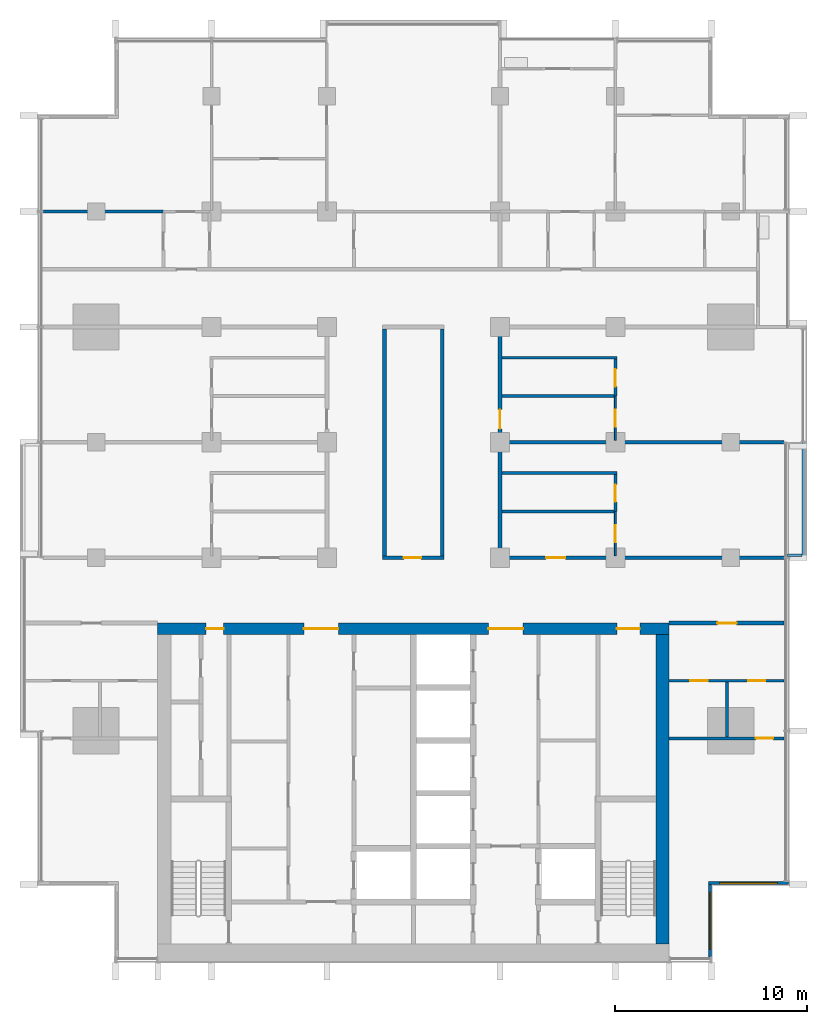
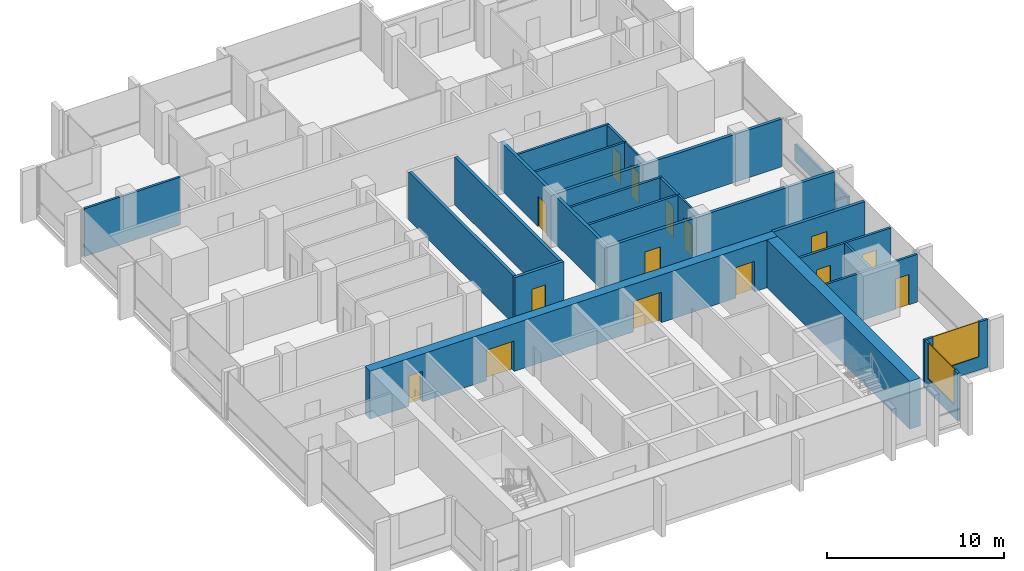
# One storey, part 9 of 16: 25 walls, 15 doors, 2 windows, 17 openings.
"""IFC4 building model written with IfcOpenShell, lengths in metres."""

import ifcopenshell
import ifcopenshell.guid

model = None  # the IFC model being written
_history = None  # IfcOwnerHistory: only IFC2X3 demands one
_inside = {}  # id of a spatial element -> (the spatial element, [elements in it])
_under = {}  # id of a project, library or spatial element -> (it, [spatial elements below it])
_declared = {}  # id of a project -> (the project, [libraries it declares])
_typed = {}  # id of a type object -> (the type object, [elements of that type])
_made_of = {}  # id of a material, layer set ... -> (it, [elements and type objects made of it])


def new_model(schema):
    """Start an empty IFC model of exactly this schema.

    Asked for "IFC4X3", IfcOpenShell would pick the latest addendum, in which some entities
    have other attributes; the version numbers below select the first issue.
    IFC2X3 requires an IfcOwnerHistory on every rooted entity: one is made here for all.
    """
    global model, _history
    if schema == "IFC4X3":
        model = ifcopenshell.file(schema_version=(4, 3, 0, 0))
    else:
        model = ifcopenshell.file(schema=schema)
    _inside.clear()
    _under.clear()
    _declared.clear()
    _typed.clear()
    _made_of.clear()
    _history = None
    if model.schema == "IFC2X3":
        org = make("IfcOrganization", Name="unknown")
        user = make(
            "IfcPersonAndOrganization",
            ThePerson=make("IfcPerson", FamilyName="unknown"),
            TheOrganization=org,
        )
        app = make(
            "IfcApplication",
            ApplicationDeveloper=org,
            Version="unknown",
            ApplicationFullName="unknown",
            ApplicationIdentifier="unknown",
        )
        _history = make(
            "IfcOwnerHistory",
            OwningUser=user,
            OwningApplication=app,
            ChangeAction="ADDED",
            CreationDate=0,
        )
    return model


def make(cls, **values):
    """One entity of the class cls with the attributes given. An attribute that is None is left unset."""
    return model.create_entity(
        cls, **{name: value for name, value in values.items() if value is not None}
    )


def rooted(cls, **values):
    """An entity with a GlobalId (a new one), such as an element, a storey or a relation."""
    return make(cls, GlobalId=ifcopenshell.guid.new(), OwnerHistory=_history, **values)


def si_unit(unit_type, name, prefix=None):
    """IfcSIUnit, for example si_unit("LENGTHUNIT", "METRE", prefix="MILLI")."""
    return make("IfcSIUnit", UnitType=unit_type, Prefix=prefix, Name=name)


def assignment(units):
    """IfcUnitAssignment: the units of a project."""
    return None if units is None else make("IfcUnitAssignment", Units=units)


def point(xyz):
    """IfcCartesianPoint."""
    return None if xyz is None else make("IfcCartesianPoint", Coordinates=xyz)


def direction(xyz):
    """IfcDirection."""
    return None if xyz is None else make("IfcDirection", DirectionRatios=xyz)


def frame(location, z_axis=None, x_axis=None):
    """IfcAxis2Placement3D, a coordinate frame: its origin and axes. An axis left out is left unset."""
    return make(
        "IfcAxis2Placement3D",
        Location=point(location),
        Axis=direction(z_axis),
        RefDirection=direction(x_axis),
    )


def frame_2d(location, x_axis=None):
    """IfcAxis2Placement2D, a coordinate frame in the plane: its origin and x axis."""
    return make(
        "IfcAxis2Placement2D", Location=point(location), RefDirection=direction(x_axis)
    )


def origin():
    """The frame at (0, 0, 0) with its axes left unset."""
    return frame((0.0, 0.0, 0.0))


def place(relative_to, where):
    """IfcLocalPlacement: puts the frame where relative to a parent placement (None: the world)."""
    return make(
        "IfcLocalPlacement", PlacementRelTo=relative_to, RelativePlacement=where
    )


def context(
    kind, dimensions, precision=None, world=None, true_north=None, identifier=None
):
    """IfcGeometricRepresentationContext, for example the 3D "Model" context."""
    return make(
        "IfcGeometricRepresentationContext",
        ContextIdentifier=identifier,
        ContextType=kind,
        CoordinateSpaceDimension=dimensions,
        Precision=precision,
        WorldCoordinateSystem=world,
        TrueNorth=true_north,
    )


def subcontext(parent, identifier, kind, view, scale=None):
    """IfcGeometricRepresentationSubContext, for example "Body" below "Model"."""
    return make(
        "IfcGeometricRepresentationSubContext",
        ContextIdentifier=identifier,
        ContextType=kind,
        ParentContext=parent,
        TargetScale=scale,
        TargetView=view,
    )


def project(units=None, contexts=None):
    """IfcProject with its units and contexts."""
    return rooted(
        "IfcProject",
        Name="project",
        RepresentationContexts=contexts,
        UnitsInContext=assignment(units),
    )


def spatial(cls, under=None, at=None, **own):
    """A site, building, storey or space (cls), placed at a placement, below another one or the project."""
    s = rooted(cls, ObjectPlacement=at, **own)
    if under is not None:
        _under.setdefault(under.id(), (under, []))[1].append(s)
    return s


def profile(cls, at=None, kind="AREA", **sizes):
    """A parametric profile (cls). Its sizes go by their IFC names, for example OverallWidth=200.0."""
    return make(cls, ProfileType=kind, Position=at, **sizes)


def rectangle(**sizes):
    """IfcRectangleProfileDef."""
    return profile("IfcRectangleProfileDef", **sizes)


def extrude(swept, where, along, depth):
    """IfcExtrudedAreaSolid: the profile swept, set in the frame where, extruded along a direction by depth."""
    return make(
        "IfcExtrudedAreaSolid",
        SweptArea=swept,
        Position=where,
        ExtrudedDirection=direction(along),
        Depth=depth,
    )


def shape(context_of_items, identifier, shape_type, items):
    """IfcShapeRepresentation: the items that make up one representation, for example the "Body"."""
    return make(
        "IfcShapeRepresentation",
        ContextOfItems=context_of_items,
        RepresentationIdentifier=identifier,
        RepresentationType=shape_type,
        Items=items,
    )


def material(Name=None, Category=None):
    """IfcMaterial."""
    return make("IfcMaterial", Name=Name, Category=Category)


def layer(
    of_material, thickness, ventilated=None, Name=None, Category=None, Priority=None
):
    """IfcMaterialLayer: one layer of a wall or slab, of a material (None: an air gap)."""
    return make(
        "IfcMaterialLayer",
        Material=of_material,
        LayerThickness=thickness,
        IsVentilated=ventilated,
        Name=Name,
        Category=Category,
        Priority=Priority,
    )


def layer_set(layers, Name=None):
    """IfcMaterialLayerSet."""
    return make("IfcMaterialLayerSet", MaterialLayers=layers, LayerSetName=Name)


def made_of(thing, what):
    """Note that an element or type object is made of a material, layer set ...; save() writes the relation."""
    if what is not None:
        _made_of.setdefault(what.id(), (what, []))[1].append(thing)
    return thing


def type_object(cls, material=None, **own):
    """A type object (cls), such as IfcWallType, which elements share."""
    return made_of(rooted(cls, **own), material)


def element(
    cls,
    number,
    at=None,
    inside=None,
    cuts=None,
    type_object=None,
    material=None,
    context=None,
    identifier="Body",
    shape_type=None,
    held_by="IfcProductDefinitionShape",
    body=None,
    shapes=None,
    **own,
):
    """One element of the class cls, such as IfcWall. Its Tag is "e" and its number.

    at: its placement. inside: the storey or other place that contains it. cuts: it is an
    opening in that element (IfcRelVoidsElement). A single representation is given by context,
    identifier, shape_type and body (its items); several are given by shapes. held_by: the class
    of the entity that holds the representations. save() writes the other relations.
    """
    e = rooted(cls, Tag="e%d" % number, ObjectPlacement=at, **own)
    if body is not None:
        shapes = [shape(context, identifier, shape_type, body)]
    if shapes is not None:
        e.Representation = make(held_by, Representations=shapes)
    if inside is not None:
        _inside.setdefault(inside.id(), (inside, []))[1].append(e)
    if cuts is not None:
        rooted(
            "IfcRelVoidsElement", RelatingBuildingElement=cuts, RelatedOpeningElement=e
        )
    if type_object is not None:
        _typed.setdefault(type_object.id(), (type_object, []))[1].append(e)
    return made_of(e, material)


def fill(opening, filler):
    """IfcRelFillsElement: the door or window that sits in an opening."""
    return rooted(
        "IfcRelFillsElement",
        RelatingOpeningElement=opening,
        RelatedBuildingElement=filler,
    )


def aggregate(whole, parts):
    """IfcRelAggregates: a whole, such as a stair, and the parts it consists of."""
    return rooted("IfcRelAggregates", RelatingObject=whole, RelatedObjects=parts)


def save(model, path):
    """Write the relations noted so far, then the file.

    IfcRelAggregates (storeys below a building ...), IfcRelContainedInSpatialStructure (elements
    in a storey), IfcRelDefinesByType, IfcRelAssociatesMaterial and IfcRelDeclares: one each for
    every whole, place, type object, material and project.
    """
    for whole, parts in _under.values():
        aggregate(whole, parts)
    for where, things in _inside.values():
        rooted(
            "IfcRelContainedInSpatialStructure",
            RelatedElements=things,
            RelatingStructure=where,
        )
    for kind, things in _typed.values():
        rooted("IfcRelDefinesByType", RelatedObjects=things, RelatingType=kind)
    for what, things in _made_of.values():
        rooted("IfcRelAssociatesMaterial", RelatedObjects=things, RelatingMaterial=what)
    for by, libraries in _declared.values():
        rooted("IfcRelDeclares", RelatingContext=by, RelatedDefinitions=libraries)
    model.write(path)


model = new_model("IFC4")

# Units and contexts
model_context = context("Model", 3, precision=1e-05, world=origin(), true_north=direction((0.0, 1.0)))
body_context = subcontext(model_context, "Body", "Model", "MODEL_VIEW")
ifc_project = project(units=[si_unit("LENGTHUNIT", "METRE"), si_unit("AREAUNIT", "SQUARE_METRE"), si_unit("VOLUMEUNIT", "CUBIC_METRE"), si_unit("PLANEANGLEUNIT", "RADIAN"), si_unit("MASSUNIT", "GRAM", prefix="KILO")], contexts=[model_context])

# Site, building, storey
site_placement = place(None, origin())
site = spatial("IfcSite", under=ifc_project, at=site_placement, CompositionType="ELEMENT")
building_placement = place(site_placement, origin())
building = spatial("IfcBuilding", under=site, at=building_placement, Name="Finial Court Residences", CompositionType="ELEMENT")
storey_placement = place(building_placement, frame((0.0, 0.0, 160.10009765625)))
storey = spatial("IfcBuildingStorey", under=building, at=storey_placement, Name="L39", CompositionType="ELEMENT", Elevation=160.10009765625)

# Wall
ifc_material_1 = material(Name="Gypsum board")
ifc_layer_1 = layer(ifc_material_1, 0.02490234375)
ifc_material_2 = material(Name="Acoustic mineral wool in double frame")
ifc_layer_2 = layer(ifc_material_2, 0.14990234375)
ifc_layer_3 = layer(ifc_material_1, 0.02490234375)
ifc_layer_set_1 = layer_set([ifc_layer_1, ifc_layer_2, ifc_layer_3], Name="Acoustic party wall 200, 1 hour")
wall_type_1 = type_object("IfcWallType", Name="Acoustic party wall 200, 1 hour", PredefinedType="PARTITIONING", material=ifc_layer_set_1)
wall_1_placement = place(storey_placement, frame((4.60009765625, 1.5, 0.0), z_axis=(0.0, 0.0, 1.0), x_axis=(1.0, 0.0, 0.0)))
element("IfcWall", 1, at=wall_1_placement, inside=storey, type_object=wall_type_1, Name="Partition L39-014", PredefinedType="PARTITIONING", context=body_context, shape_type="SweptSolid", body=[
    extrude(rectangle(XDim=14.662353515625, YDim=0.199951171875, at=frame_2d((7.3310546875, 0.0))), origin(), (0.0, 0.0, 1.0), 3.2998046875),
])

# Wall, openings, doors
ifc_material_3 = material(Name="Concrete C70/85", Category="concrete")
ifc_layer_4 = layer(ifc_material_3, 0.60009765625)
ifc_layer_set_2 = layer_set([ifc_layer_4], Name="Core outer wall 600 Concrete C70/85")
wall_type_2 = type_object("IfcWallType", Name="Core outer wall 600 Concrete C70/85", PredefinedType="SHEAR", material=ifc_layer_set_2)
wall_2_placement = place(storey_placement, frame((-13.300048828125, -8.199951171875, 0.0), z_axis=(0.0, 0.0, 1.0), x_axis=(1.0, 0.0, 0.0)))
wall_2 = element("IfcWall", 2, at=wall_2_placement, inside=storey, type_object=wall_type_2, Name="Core outer wall L39-02", PredefinedType="SHEAR", context=body_context, shape_type="SweptSolid", body=[
    extrude(rectangle(XDim=26.60009765625, YDim=0.60009765625, at=frame_2d((13.300048828125, 0.0))), origin(), (0.0, 0.0, 1.0), 3.2998046875),
])
opening_1_placement = place(wall_2_placement, frame((7.60009765625, 0.0, 0.0)))
opening_1 = element("IfcOpeningElement", 3, at=opening_1_placement, cuts=wall_2, Name="Opening L39-C04", PredefinedType="OPENING", context=body_context, shape_type="SweptSolid", body=[
    extrude(rectangle(XDim=1.800048828125, YDim=2.10009765625, at=frame_2d((0.89990234375, 1.050048828125))), frame((0.0, 0.31005859375, 0.0), z_axis=(0.0, -1.0, 0.0), x_axis=(1.0, 0.0, 0.0)), (0.0, 0.0, 1.0), 0.6201171875),
])
opening_2_placement = place(wall_2_placement, frame((17.199951171875, 0.0, 0.0)))
opening_2 = element("IfcOpeningElement", 4, at=opening_2_placement, cuts=wall_2, Name="Opening L39-C05", PredefinedType="OPENING", context=body_context, shape_type="SweptSolid", body=[
    extrude(rectangle(XDim=1.800048828125, YDim=2.10009765625, at=frame_2d((0.89990234375, 1.050048828125))), frame((0.0, 0.31005859375, 0.0), z_axis=(0.0, -1.0, 0.0), x_axis=(1.0, 0.0, 0.0)), (0.0, 0.0, 1.0), 0.6201171875),
])
opening_3_placement = place(wall_2_placement, frame((2.52490234375, 0.0, 0.0)))
opening_3 = element("IfcOpeningElement", 5, at=opening_3_placement, cuts=wall_2, Name="Opening L39-C10", PredefinedType="OPENING", context=body_context, shape_type="SweptSolid", body=[
    extrude(rectangle(XDim=0.89990234375, YDim=2.10009765625, at=frame_2d((0.449951171875, 1.050048828125))), frame((0.0, 0.31005859375, 0.0), z_axis=(0.0, -1.0, 0.0), x_axis=(1.0, 0.0, 0.0)), (0.0, 0.0, 1.0), 0.6201171875),
])
opening_4_placement = place(wall_2_placement, frame((23.875, 0.0, 0.0)))
opening_4 = element("IfcOpeningElement", 6, at=opening_4_placement, cuts=wall_2, Name="Opening L39-C11", PredefinedType="OPENING", context=body_context, shape_type="SweptSolid", body=[
    extrude(rectangle(XDim=1.199951171875, YDim=2.10009765625, at=frame_2d((0.60009765625, 1.050048828125))), frame((0.0, 0.31005859375, 0.0), z_axis=(0.0, -1.0, 0.0), x_axis=(1.0, 0.0, 0.0)), (0.0, 0.0, 1.0), 0.6201171875),
])
ifc_material_4 = material(Name="Steel fire door", Category="steel")
door_type_1 = type_object("IfcDoorType", Name="Lift lobby door 1800 x 2100 EI 60", OperationType="DOUBLE_DOOR_SINGLE_SWING", PredefinedType="DOOR", material=ifc_material_4)
door_1_placement = place(opening_1_placement, origin())
door_1 = element("IfcDoor", 7, at=door_1_placement, inside=storey, type_object=door_type_1, Name="Lift lobby door L39-C04", OperationType="DOUBLE_DOOR_SINGLE_SWING", OverallHeight=2.10009765625, OverallWidth=1.800048828125, PredefinedType="DOOR", context=body_context, shape_type="SweptSolid", body=[
    extrude(rectangle(XDim=1.800048828125, YDim=2.10009765625, at=frame_2d((0.89990234375, 1.050048828125))), frame((0.0, 0.02490234375, 0.0), z_axis=(0.0, -1.0, 0.0), x_axis=(1.0, 0.0, 0.0)), (0.0, 0.0, 1.0), 0.050048828125),
])
fill(opening_1, door_1)
door_2_placement = place(opening_2_placement, origin())
door_2 = element("IfcDoor", 8, at=door_2_placement, inside=storey, type_object=door_type_1, Name="Lift lobby door L39-C05", OperationType="DOUBLE_DOOR_SINGLE_SWING", OverallHeight=2.10009765625, OverallWidth=1.800048828125, PredefinedType="DOOR", context=body_context, shape_type="SweptSolid", body=[
    extrude(rectangle(XDim=1.800048828125, YDim=2.10009765625, at=frame_2d((0.89990234375, 1.050048828125))), frame((0.0, 0.02490234375, 0.0), z_axis=(0.0, -1.0, 0.0), x_axis=(1.0, 0.0, 0.0)), (0.0, 0.0, 1.0), 0.050048828125),
])
fill(opening_2, door_2)
door_type_2 = type_object("IfcDoorType", Name="Riser room door 1200 x 2100 EI 90", OperationType="NOTDEFINED", PredefinedType="DOOR", material=ifc_material_4)
door_3_placement = place(opening_4_placement, origin())
door_3 = element("IfcDoor", 9, at=door_3_placement, inside=storey, type_object=door_type_2, Name="Riser room door L39-C11", OperationType="SINGLE_SWING_RIGHT", OverallHeight=2.10009765625, OverallWidth=1.199951171875, PredefinedType="DOOR", context=body_context, shape_type="SweptSolid", body=[
    extrude(rectangle(XDim=1.199951171875, YDim=2.10009765625, at=frame_2d((0.60009765625, 1.050048828125))), frame((0.0, 0.02490234375, 0.0), z_axis=(0.0, -1.0, 0.0), x_axis=(1.0, 0.0, 0.0)), (0.0, 0.0, 1.0), 0.050048828125),
])
fill(opening_4, door_3)
door_type_3 = type_object("IfcDoorType", Name="Riser room door 900 x 2100 EI 90", OperationType="NOTDEFINED", PredefinedType="DOOR", material=ifc_material_4)
door_4_placement = place(opening_3_placement, origin())
door_4 = element("IfcDoor", 10, at=door_4_placement, inside=storey, type_object=door_type_3, Name="Riser room door L39-C10", OperationType="SINGLE_SWING_RIGHT", OverallHeight=2.10009765625, OverallWidth=0.89990234375, PredefinedType="DOOR", context=body_context, shape_type="SweptSolid", body=[
    extrude(rectangle(XDim=0.89990234375, YDim=2.10009765625, at=frame_2d((0.449951171875, 1.050048828125))), frame((0.0, 0.02490234375, 0.0), z_axis=(0.0, -1.0, 0.0), x_axis=(1.0, 0.0, 0.0)), (0.0, 0.0, 1.0), 0.050048828125),
])
fill(opening_3, door_4)

# Wall
ifc_layer_5 = layer(ifc_material_3, 0.699951171875)
ifc_layer_set_3 = layer_set([ifc_layer_5], Name="Core outer wall 700 Concrete C70/85")
wall_type_3 = type_object("IfcWallType", Name="Core outer wall 700 Concrete C70/85", PredefinedType="SHEAR", material=ifc_layer_set_3)
wall_3_placement = place(storey_placement, frame((12.949951171875, -24.60009765625, 0.0), z_axis=(0.0, 0.0, 1.0), x_axis=(0.0, 1.0, 0.0)))
element("IfcWall", 11, at=wall_3_placement, inside=storey, type_object=wall_type_3, Name="Core outer wall L39-04", PredefinedType="SHEAR", context=body_context, shape_type="SweptSolid", body=[
    extrude(rectangle(XDim=16.10009765625, YDim=0.699951171875, at=frame_2d((8.050048828125, 0.0))), origin(), (0.0, 0.0, 1.0), 3.2998046875),
])

# Wall, opening, door
ifc_layer_6 = layer(ifc_material_1, 0.02490234375)
ifc_layer_7 = layer(ifc_material_2, 0.14990234375)
ifc_layer_8 = layer(ifc_material_1, 0.02490234375)
ifc_layer_set_4 = layer_set([ifc_layer_6, ifc_layer_7, ifc_layer_8], Name="Corridor wall 200, 1 hour")
wall_type_4 = type_object("IfcWallType", Name="Corridor wall 200, 1 hour", PredefinedType="PARTITIONING", material=ifc_layer_set_4)
wall_4_placement = place(storey_placement, frame((13.300048828125, -7.89990234375, 0.0), z_axis=(0.0, 0.0, 1.0), x_axis=(1.0, 0.0, 0.0)))
wall_4 = element("IfcWall", 12, at=wall_4_placement, inside=storey, type_object=wall_type_4, Name="Partition L39-005", PredefinedType="PARTITIONING", context=body_context, shape_type="SweptSolid", body=[
    extrude(rectangle(XDim=5.96240234375, YDim=0.199951171875, at=frame_2d((2.981201171875, 0.0))), origin(), (0.0, 0.0, 1.0), 3.2998046875),
])
opening_5_placement = place(wall_4_placement, frame((2.5, 0.0, 0.0)))
opening_5 = element("IfcOpeningElement", 13, at=opening_5_placement, cuts=wall_4, Name="Opening L39-D008", PredefinedType="OPENING", context=body_context, shape_type="SweptSolid", body=[
    extrude(rectangle(XDim=1.0, YDim=2.10009765625, at=frame_2d((0.5, 1.050048828125))), frame((0.0, 0.10986328125, 0.0), z_axis=(0.0, -1.0, 0.0), x_axis=(1.0, 0.0, 0.0)), (0.0, 0.0, 1.0), 0.219970703125),
])
ifc_material_5 = material(Name="Timber door leaf in hollow metal frame", Category="wood")
door_type_4 = type_object("IfcDoorType", Name="Fire door set 1000 x 2100, 30 minutes", OperationType="SINGLE_SWING_LEFT", PredefinedType="DOOR", material=ifc_material_5)
door_5_placement = place(opening_5_placement, origin())
door_5 = element("IfcDoor", 14, at=door_5_placement, inside=storey, type_object=door_type_4, Name="Door L39-D008", OperationType="SINGLE_SWING_RIGHT", OverallHeight=2.10009765625, OverallWidth=1.0, PredefinedType="DOOR", context=body_context, shape_type="SweptSolid", body=[
    extrude(rectangle(XDim=1.0, YDim=2.10009765625, at=frame_2d((0.5, 1.050048828125))), frame((0.0, 0.02490234375, 0.0), z_axis=(0.0, -1.0, 0.0), x_axis=(1.0, 0.0, 0.0)), (0.0, 0.0, 1.0), 0.050048828125),
])
fill(opening_5, door_5)

wall_5_placement = place(storey_placement, frame((-1.60009765625, -4.5, 0.0), z_axis=(0.0, 0.0, 1.0), x_axis=(1.0, 0.0, 0.0)))
wall_5 = element("IfcWall", 15, at=wall_5_placement, inside=storey, type_object=wall_type_4, Name="Partition L39-007", PredefinedType="PARTITIONING", context=body_context, shape_type="SweptSolid", body=[
    extrude(rectangle(XDim=3.2001953125, YDim=0.199951171875, at=frame_2d((1.60009765625, 0.0))), origin(), (0.0, 0.0, 1.0), 3.2998046875),
])
opening_6_placement = place(wall_5_placement, frame((1.10009765625, 0.0, 0.0)))
opening_6 = element("IfcOpeningElement", 16, at=opening_6_placement, cuts=wall_5, Name="Opening L39-D010", PredefinedType="OPENING", context=body_context, shape_type="SweptSolid", body=[
    extrude(rectangle(XDim=0.89990234375, YDim=2.10009765625, at=frame_2d((0.449951171875, 1.050048828125))), frame((0.0, 0.10986328125, 0.0), z_axis=(0.0, -1.0, 0.0), x_axis=(1.0, 0.0, 0.0)), (0.0, 0.0, 1.0), 0.219970703125),
])
door_type_5 = type_object("IfcDoorType", Name="Fire door set 900 x 2100, 30 minutes", OperationType="SINGLE_SWING_LEFT", PredefinedType="DOOR", material=ifc_material_5)
door_6_placement = place(opening_6_placement, origin())
door_6 = element("IfcDoor", 17, at=door_6_placement, inside=storey, type_object=door_type_5, Name="Door L39-D010", OperationType="SINGLE_SWING_LEFT", OverallHeight=2.10009765625, OverallWidth=0.89990234375, PredefinedType="DOOR", context=body_context, shape_type="SweptSolid", body=[
    extrude(rectangle(XDim=0.89990234375, YDim=2.10009765625, at=frame_2d((0.449951171875, 1.050048828125))), frame((0.0, 0.02490234375, 0.0), z_axis=(0.0, -1.0, 0.0), x_axis=(1.0, 0.0, 0.0)), (0.0, 0.0, 1.0), 0.050048828125),
])
fill(opening_6, door_6)

wall_6_placement = place(storey_placement, frame((4.39990234375, -4.5, 0.0), z_axis=(0.0, 0.0, 1.0), x_axis=(1.0, 0.0, 0.0)))
wall_6 = element("IfcWall", 18, at=wall_6_placement, inside=storey, type_object=wall_type_4, Name="Partition L39-008", PredefinedType="PARTITIONING", context=body_context, shape_type="SweptSolid", body=[
    extrude(rectangle(XDim=14.862548828125, YDim=0.199951171875, at=frame_2d((7.43115234375, 0.0))), origin(), (0.0, 0.0, 1.0), 3.2998046875),
])
opening_7_placement = place(wall_6_placement, frame((2.5, 0.0, 0.0)))
opening_7 = element("IfcOpeningElement", 19, at=opening_7_placement, cuts=wall_6, Name="Opening L39-D011", PredefinedType="OPENING", context=body_context, shape_type="SweptSolid", body=[
    extrude(rectangle(XDim=1.0, YDim=2.10009765625, at=frame_2d((0.5, 1.050048828125))), frame((0.0, 0.10986328125, 0.0), z_axis=(0.0, -1.0, 0.0), x_axis=(1.0, 0.0, 0.0)), (0.0, 0.0, 1.0), 0.219970703125),
])
door_7_placement = place(opening_7_placement, origin())
door_7 = element("IfcDoor", 20, at=door_7_placement, inside=storey, type_object=door_type_4, Name="Door L39-D011", OperationType="SINGLE_SWING_RIGHT", OverallHeight=2.10009765625, OverallWidth=1.0, PredefinedType="DOOR", context=body_context, shape_type="SweptSolid", body=[
    extrude(rectangle(XDim=1.0, YDim=2.10009765625, at=frame_2d((0.5, 1.050048828125))), frame((0.0, 0.02490234375, 0.0), z_axis=(0.0, -1.0, 0.0), x_axis=(1.0, 0.0, 0.0)), (0.0, 0.0, 1.0), 0.050048828125),
])
fill(opening_7, door_7)

# Walls
for number, where, z_axis, x_axis, name in (
    (21, (-1.5, -4.39990234375, 0.0), (0.0, 0.0, 1.0), (0.0, 1.0, 0.0), "Partition L39-045"),
    (22, (1.5, -4.39990234375, 0.0), (0.0, 0.0, 1.0), (0.0, 1.0, 0.0), "Partition L39-046"),
):
    element("IfcWall", number, at=place(storey_placement, frame(where, z_axis=z_axis, x_axis=x_axis)), inside=storey, type_object=wall_type_4, Name=name, PredefinedType="PARTITIONING", context=body_context, shape_type="SweptSolid", body=[
        extrude(rectangle(XDim=11.7998046875, YDim=0.199951171875, at=frame_2d((5.89990234375, 0.0))), origin(), (0.0, 0.0, 1.0), 3.2998046875),
    ])

# Wall, opening, door
wall_7_placement = place(storey_placement, frame((4.5, -4.39990234375, 0.0), z_axis=(0.0, 0.0, 1.0), x_axis=(0.0, 1.0, 0.0)))
wall_7 = element("IfcWall", 23, at=wall_7_placement, inside=storey, type_object=wall_type_4, Name="Partition L39-047", PredefinedType="PARTITIONING", context=body_context, shape_type="SweptSolid", body=[
    extrude(rectangle(XDim=11.7998046875, YDim=0.199951171875, at=frame_2d((5.89990234375, 0.0))), origin(), (0.0, 0.0, 1.0), 3.2998046875),
])
opening_8_placement = place(wall_7_placement, frame((6.60009765625, 0.0, 0.0)))
opening_8 = element("IfcOpeningElement", 24, at=opening_8_placement, cuts=wall_7, Name="Opening L39-D028", PredefinedType="OPENING", context=body_context, shape_type="SweptSolid", body=[
    extrude(rectangle(XDim=1.0, YDim=2.10009765625, at=frame_2d((0.5, 1.050048828125))), frame((0.0, 0.10986328125, 0.0), z_axis=(0.0, -1.0, 0.0), x_axis=(1.0, 0.0, 0.0)), (0.0, 0.0, 1.0), 0.219970703125),
])
door_8_placement = place(opening_8_placement, origin())
door_8 = element("IfcDoor", 25, at=door_8_placement, inside=storey, type_object=door_type_4, Name="Door L39-D028", OperationType="SINGLE_SWING_RIGHT", OverallHeight=2.10009765625, OverallWidth=1.0, PredefinedType="DOOR", context=body_context, shape_type="SweptSolid", body=[
    extrude(rectangle(XDim=1.0, YDim=2.10009765625, at=frame_2d((0.5, 1.050048828125))), frame((0.0, 0.02490234375, 0.0), z_axis=(0.0, -1.0, 0.0), x_axis=(1.0, 0.0, 0.0)), (0.0, 0.0, 1.0), 0.050048828125),
])
fill(opening_8, door_8)

ifc_layer_9 = layer(ifc_material_1, 0.012451171875)
ifc_material_6 = material(Name="Mineral wool in light-gauge frame")
ifc_layer_10 = layer(ifc_material_6, 0.074951171875)
ifc_layer_11 = layer(ifc_material_1, 0.012451171875)
ifc_layer_set_5 = layer_set([ifc_layer_9, ifc_layer_10, ifc_layer_11], Name="Gypsum board partition 100")
wall_type_5 = type_object("IfcWallType", Name="Gypsum board partition 100", PredefinedType="PARTITIONING", material=ifc_layer_set_5)
wall_8_placement = place(storey_placement, frame((10.5, -4.39990234375, 0.0), z_axis=(0.0, 0.0, 1.0), x_axis=(0.0, 1.0, 0.0)))
wall_8 = element("IfcWall", 26, at=wall_8_placement, inside=storey, type_object=wall_type_5, Name="Partition L39-052", PredefinedType="PARTITIONING", context=body_context, shape_type="SweptSolid", body=[
    extrude(rectangle(XDim=2.2998046875, YDim=0.10009765625, at=frame_2d((1.14990234375, 0.0))), origin(), (0.0, 0.0, 1.0), 3.2998046875),
])
opening_9_placement = place(wall_8_placement, frame((0.699951171875, 0.0, 0.0)))
opening_9 = element("IfcOpeningElement", 27, at=opening_9_placement, cuts=wall_8, Name="Opening L39-D031", PredefinedType="OPENING", context=body_context, shape_type="SweptSolid", body=[
    extrude(rectangle(XDim=0.89990234375, YDim=2.10009765625, at=frame_2d((0.449951171875, 1.050048828125))), frame((0.0, 0.06005859375, 0.0), z_axis=(0.0, -1.0, 0.0), x_axis=(1.0, 0.0, 0.0)), (0.0, 0.0, 1.0), 0.1201171875),
])
ifc_material_7 = material(Name="Timber door leaf in timber frame", Category="wood")
door_type_6 = type_object("IfcDoorType", Name="Door set 900 x 2100", OperationType="SINGLE_SWING_LEFT", PredefinedType="DOOR", material=ifc_material_7)
door_9_placement = place(opening_9_placement, origin())
door_9 = element("IfcDoor", 28, at=door_9_placement, inside=storey, type_object=door_type_6, Name="Door L39-D031", OperationType="SINGLE_SWING_LEFT", OverallHeight=2.10009765625, OverallWidth=0.89990234375, PredefinedType="DOOR", context=body_context, shape_type="SweptSolid", body=[
    extrude(rectangle(XDim=0.89990234375, YDim=2.10009765625, at=frame_2d((0.449951171875, 1.050048828125))), frame((0.0, 0.02490234375, 0.0), z_axis=(0.0, -1.0, 0.0), x_axis=(1.0, 0.0, 0.0)), (0.0, 0.0, 1.0), 0.050048828125),
])
fill(opening_9, door_9)

wall_9_placement = place(storey_placement, frame((10.5, 1.60009765625, 0.0), z_axis=(0.0, 0.0, 1.0), x_axis=(0.0, 1.0, 0.0)))
wall_9 = element("IfcWall", 29, at=wall_9_placement, inside=storey, type_object=wall_type_5, Name="Partition L39-053", PredefinedType="PARTITIONING", context=body_context, shape_type="SweptSolid", body=[
    extrude(rectangle(XDim=2.2998046875, YDim=0.10009765625, at=frame_2d((1.14990234375, 0.0))), origin(), (0.0, 0.0, 1.0), 3.2998046875),
])
opening_10_placement = place(wall_9_placement, frame((0.699951171875, 0.0, 0.0)))
opening_10 = element("IfcOpeningElement", 30, at=opening_10_placement, cuts=wall_9, Name="Opening L39-D032", PredefinedType="OPENING", context=body_context, shape_type="SweptSolid", body=[
    extrude(rectangle(XDim=0.89990234375, YDim=2.10009765625, at=frame_2d((0.449951171875, 1.050048828125))), frame((0.0, 0.06005859375, 0.0), z_axis=(0.0, -1.0, 0.0), x_axis=(1.0, 0.0, 0.0)), (0.0, 0.0, 1.0), 0.1201171875),
])
door_10_placement = place(opening_10_placement, origin())
door_10 = element("IfcDoor", 31, at=door_10_placement, inside=storey, type_object=door_type_6, Name="Door L39-D032", OperationType="SINGLE_SWING_RIGHT", OverallHeight=2.10009765625, OverallWidth=0.89990234375, PredefinedType="DOOR", context=body_context, shape_type="SweptSolid", body=[
    extrude(rectangle(XDim=0.89990234375, YDim=2.10009765625, at=frame_2d((0.449951171875, 1.050048828125))), frame((0.0, 0.02490234375, 0.0), z_axis=(0.0, -1.0, 0.0), x_axis=(1.0, 0.0, 0.0)), (0.0, 0.0, 1.0), 0.050048828125),
])
fill(opening_10, door_10)

ifc_material_8 = material(Name="Moisture-resistant gypsum board")
ifc_layer_12 = layer(ifc_material_8, 0.012451171875)
ifc_layer_13 = layer(ifc_material_6, 0.125)
ifc_layer_14 = layer(ifc_material_8, 0.012451171875)
ifc_layer_set_6 = layer_set([ifc_layer_12, ifc_layer_13, ifc_layer_14], Name="Gypsum board wet-area partition 150")
wall_type_6 = type_object("IfcWallType", Name="Gypsum board wet-area partition 150", PredefinedType="PARTITIONING", material=ifc_layer_set_6)
wall_10_placement = place(storey_placement, frame((13.300048828125, -13.89990234375, 0.0), z_axis=(0.0, 0.0, 1.0), x_axis=(1.0, 0.0, 0.0)))
wall_10 = element("IfcWall", 32, at=wall_10_placement, inside=storey, type_object=wall_type_6, Name="Partition L39-001", PredefinedType="PARTITIONING", context=body_context, shape_type="SweptSolid", body=[
    extrude(rectangle(XDim=5.96240234375, YDim=0.14990234375, at=frame_2d((2.981201171875, 0.0))), origin(), (0.0, 0.0, 1.0), 3.2998046875),
])
opening_11_placement = place(wall_10_placement, frame((4.5, 0.0, 0.0)))
opening_11 = element("IfcOpeningElement", 33, at=opening_11_placement, cuts=wall_10, Name="Opening L39-D002", PredefinedType="OPENING", context=body_context, shape_type="SweptSolid", body=[
    extrude(rectangle(XDim=0.89990234375, YDim=2.10009765625, at=frame_2d((0.449951171875, 1.050048828125))), frame((0.0, 0.0849609375, 0.0), z_axis=(0.0, -1.0, 0.0), x_axis=(1.0, 0.0, 0.0)), (0.0, 0.0, 1.0), 0.169921875),
])
door_11_placement = place(opening_11_placement, origin())
door_11 = element("IfcDoor", 34, at=door_11_placement, inside=storey, type_object=door_type_6, Name="Door L39-D002", OperationType="SINGLE_SWING_RIGHT", OverallHeight=2.10009765625, OverallWidth=0.89990234375, PredefinedType="DOOR", context=body_context, shape_type="SweptSolid", body=[
    extrude(rectangle(XDim=0.89990234375, YDim=2.10009765625, at=frame_2d((0.449951171875, 1.050048828125))), frame((0.0, 0.02490234375, 0.0), z_axis=(0.0, -1.0, 0.0), x_axis=(1.0, 0.0, 0.0)), (0.0, 0.0, 1.0), 0.050048828125),
])
fill(opening_11, door_11)

# Wall, openings, doors
wall_11_placement = place(storey_placement, frame((13.300048828125, -10.89990234375, 0.0), z_axis=(0.0, 0.0, 1.0), x_axis=(1.0, 0.0, 0.0)))
wall_11 = element("IfcWall", 35, at=wall_11_placement, inside=storey, type_object=wall_type_6, Name="Partition L39-003", PredefinedType="PARTITIONING", context=body_context, shape_type="SweptSolid", body=[
    extrude(rectangle(XDim=5.96240234375, YDim=0.14990234375, at=frame_2d((2.981201171875, 0.0))), origin(), (0.0, 0.0, 1.0), 3.2998046875),
])
opening_12_placement = place(wall_11_placement, frame((1.10009765625, 0.0, 0.0)))
opening_12 = element("IfcOpeningElement", 36, at=opening_12_placement, cuts=wall_11, Name="Opening L39-D005", PredefinedType="OPENING", context=body_context, shape_type="SweptSolid", body=[
    extrude(rectangle(XDim=0.89990234375, YDim=2.10009765625, at=frame_2d((0.449951171875, 1.050048828125))), frame((0.0, 0.0849609375, 0.0), z_axis=(0.0, -1.0, 0.0), x_axis=(1.0, 0.0, 0.0)), (0.0, 0.0, 1.0), 0.169921875),
])
opening_13_placement = place(wall_11_placement, frame((4.10009765625, 0.0, 0.0)))
opening_13 = element("IfcOpeningElement", 37, at=opening_13_placement, cuts=wall_11, Name="Opening L39-D006", PredefinedType="OPENING", context=body_context, shape_type="SweptSolid", body=[
    extrude(rectangle(XDim=0.89990234375, YDim=2.10009765625, at=frame_2d((0.449951171875, 1.050048828125))), frame((0.0, 0.0849609375, 0.0), z_axis=(0.0, -1.0, 0.0), x_axis=(1.0, 0.0, 0.0)), (0.0, 0.0, 1.0), 0.169921875),
])
door_12_placement = place(opening_12_placement, origin())
door_12 = element("IfcDoor", 38, at=door_12_placement, inside=storey, type_object=door_type_6, Name="Door L39-D005", OperationType="SINGLE_SWING_LEFT", OverallHeight=2.10009765625, OverallWidth=0.89990234375, PredefinedType="DOOR", context=body_context, shape_type="SweptSolid", body=[
    extrude(rectangle(XDim=0.89990234375, YDim=2.10009765625, at=frame_2d((0.449951171875, 1.050048828125))), frame((0.0, 0.02490234375, 0.0), z_axis=(0.0, -1.0, 0.0), x_axis=(1.0, 0.0, 0.0)), (0.0, 0.0, 1.0), 0.050048828125),
])
fill(opening_12, door_12)
door_13_placement = place(opening_13_placement, origin())
door_13 = element("IfcDoor", 39, at=door_13_placement, inside=storey, type_object=door_type_6, Name="Door L39-D006", OperationType="SINGLE_SWING_RIGHT", OverallHeight=2.10009765625, OverallWidth=0.89990234375, PredefinedType="DOOR", context=body_context, shape_type="SweptSolid", body=[
    extrude(rectangle(XDim=0.89990234375, YDim=2.10009765625, at=frame_2d((0.449951171875, 1.050048828125))), frame((0.0, 0.02490234375, 0.0), z_axis=(0.0, -1.0, 0.0), x_axis=(1.0, 0.0, 0.0)), (0.0, 0.0, 1.0), 0.050048828125),
])
fill(opening_13, door_13)

# Walls
wall_12_placement = place(storey_placement, frame((4.60009765625, -2.10009765625, 0.0), z_axis=(0.0, 0.0, 1.0), x_axis=(1.0, 0.0, 0.0)))
element("IfcWall", 40, at=wall_12_placement, inside=storey, type_object=wall_type_6, Name="Partition L39-010", PredefinedType="PARTITIONING", context=body_context, shape_type="SweptSolid", body=[
    extrude(rectangle(XDim=5.824951171875, YDim=0.14990234375, at=frame_2d((2.91259765625, 0.0))), origin(), (0.0, 0.0, 1.0), 3.2998046875),
])
wall_13_placement = place(storey_placement, frame((4.60009765625, -0.10009765625, 0.0), z_axis=(0.0, 0.0, 1.0), x_axis=(1.0, 0.0, 0.0)))
element("IfcWall", 41, at=wall_13_placement, inside=storey, type_object=wall_type_6, Name="Partition L39-012", PredefinedType="PARTITIONING", context=body_context, shape_type="SweptSolid", body=[
    extrude(rectangle(XDim=5.974853515625, YDim=0.14990234375, at=frame_2d((2.9873046875, 0.0))), origin(), (0.0, 0.0, 1.0), 3.2998046875),
])
wall_14_placement = place(storey_placement, frame((4.60009765625, 3.89990234375, 0.0), z_axis=(0.0, 0.0, 1.0), x_axis=(1.0, 0.0, 0.0)))
element("IfcWall", 42, at=wall_14_placement, inside=storey, type_object=wall_type_6, Name="Partition L39-016", PredefinedType="PARTITIONING", context=body_context, shape_type="SweptSolid", body=[
    extrude(rectangle(XDim=5.824951171875, YDim=0.14990234375, at=frame_2d((2.91259765625, 0.0))), origin(), (0.0, 0.0, 1.0), 3.2998046875),
])
wall_15_placement = place(storey_placement, frame((4.60009765625, 5.89990234375, 0.0), z_axis=(0.0, 0.0, 1.0), x_axis=(1.0, 0.0, 0.0)))
element("IfcWall", 43, at=wall_15_placement, inside=storey, type_object=wall_type_6, Name="Partition L39-018", PredefinedType="PARTITIONING", context=body_context, shape_type="SweptSolid", body=[
    extrude(rectangle(XDim=5.974853515625, YDim=0.14990234375, at=frame_2d((2.9873046875, 0.0))), origin(), (0.0, 0.0, 1.0), 3.2998046875),
])
wall_16_placement = place(storey_placement, frame((-19.262451171875, 13.5, 0.0), z_axis=(0.0, 0.0, 1.0), x_axis=(1.0, 0.0, 0.0)))
element("IfcWall", 44, at=wall_16_placement, inside=storey, type_object=wall_type_6, Name="Partition L39-027", PredefinedType="PARTITIONING", context=body_context, shape_type="SweptSolid", body=[
    extrude(rectangle(XDim=6.262451171875, YDim=0.14990234375, at=frame_2d((3.13134765625, 0.0))), origin(), (0.0, 0.0, 1.0), 3.2998046875),
])

# Wall, opening, door
wall_17_placement = place(storey_placement, frame((10.5, -2.10009765625, 0.0), z_axis=(0.0, 0.0, 1.0), x_axis=(0.0, 1.0, 0.0)))
wall_17 = element("IfcWall", 45, at=wall_17_placement, inside=storey, type_object=wall_type_6, Name="Partition L39-055", PredefinedType="PARTITIONING", context=body_context, shape_type="SweptSolid", body=[
    extrude(rectangle(XDim=1.925048828125, YDim=0.14990234375, at=frame_2d((0.96240234375, 0.0))), origin(), (0.0, 0.0, 1.0), 3.2998046875),
])
opening_14_placement = place(wall_17_placement, frame((0.5, 0.0, 0.0)))
opening_14 = element("IfcOpeningElement", 46, at=opening_14_placement, cuts=wall_17, Name="Opening L39-D034", PredefinedType="OPENING", context=body_context, shape_type="SweptSolid", body=[
    extrude(rectangle(XDim=0.89990234375, YDim=2.10009765625, at=frame_2d((0.449951171875, 1.050048828125))), frame((0.0, 0.0849609375, 0.0), z_axis=(0.0, -1.0, 0.0), x_axis=(1.0, 0.0, 0.0)), (0.0, 0.0, 1.0), 0.169921875),
])
door_14_placement = place(opening_14_placement, origin())
door_14 = element("IfcDoor", 47, at=door_14_placement, inside=storey, type_object=door_type_6, Name="Door L39-D034", OperationType="SINGLE_SWING_LEFT", OverallHeight=2.10009765625, OverallWidth=0.89990234375, PredefinedType="DOOR", context=body_context, shape_type="SweptSolid", body=[
    extrude(rectangle(XDim=0.89990234375, YDim=2.10009765625, at=frame_2d((0.449951171875, 1.050048828125))), frame((0.0, 0.02490234375, 0.0), z_axis=(0.0, -1.0, 0.0), x_axis=(1.0, 0.0, 0.0)), (0.0, 0.0, 1.0), 0.050048828125),
])
fill(opening_14, door_14)

wall_18_placement = place(storey_placement, frame((10.5, 3.89990234375, 0.0), z_axis=(0.0, 0.0, 1.0), x_axis=(0.0, 1.0, 0.0)))
wall_18 = element("IfcWall", 48, at=wall_18_placement, inside=storey, type_object=wall_type_6, Name="Partition L39-056", PredefinedType="PARTITIONING", context=body_context, shape_type="SweptSolid", body=[
    extrude(rectangle(XDim=1.925048828125, YDim=0.14990234375, at=frame_2d((0.96240234375, 0.0))), origin(), (0.0, 0.0, 1.0), 3.2998046875),
])
opening_15_placement = place(wall_18_placement, frame((0.5, 0.0, 0.0)))
opening_15 = element("IfcOpeningElement", 49, at=opening_15_placement, cuts=wall_18, Name="Opening L39-D035", PredefinedType="OPENING", context=body_context, shape_type="SweptSolid", body=[
    extrude(rectangle(XDim=0.89990234375, YDim=2.10009765625, at=frame_2d((0.449951171875, 1.050048828125))), frame((0.0, 0.0849609375, 0.0), z_axis=(0.0, -1.0, 0.0), x_axis=(1.0, 0.0, 0.0)), (0.0, 0.0, 1.0), 0.169921875),
])
door_15_placement = place(opening_15_placement, origin())
door_15 = element("IfcDoor", 50, at=door_15_placement, inside=storey, type_object=door_type_6, Name="Door L39-D035", OperationType="SINGLE_SWING_RIGHT", OverallHeight=2.10009765625, OverallWidth=0.89990234375, PredefinedType="DOOR", context=body_context, shape_type="SweptSolid", body=[
    extrude(rectangle(XDim=0.89990234375, YDim=2.10009765625, at=frame_2d((0.449951171875, 1.050048828125))), frame((0.0, 0.02490234375, 0.0), z_axis=(0.0, -1.0, 0.0), x_axis=(1.0, 0.0, 0.0)), (0.0, 0.0, 1.0), 0.050048828125),
])
fill(opening_15, door_15)

# Walls
wall_19_placement = place(storey_placement, frame((16.300048828125, -13.824951171875, 0.0), z_axis=(0.0, 0.0, 1.0), x_axis=(0.0, 1.0, 0.0)))
element("IfcWall", 51, at=wall_19_placement, inside=storey, type_object=wall_type_6, Name="Partition L39-058", PredefinedType="PARTITIONING", context=body_context, shape_type="SweptSolid", body=[
    extrude(rectangle(XDim=2.849853515625, YDim=0.14990234375, at=frame_2d((1.4248046875, 0.0))), origin(), (0.0, 0.0, 1.0), 3.2998046875),
])
ifc_material_9 = material(Name="Concrete C35/45", Category="concrete")
ifc_layer_15 = layer(ifc_material_9, 0.14990234375)
ifc_layer_set_7 = layer_set([ifc_layer_15], Name="Ledge parapet, Concrete C35/45 150")
wall_type_7 = type_object("IfcWallType", Name="Ledge parapet, Concrete C35/45 150", PredefinedType="PARAPET", material=ifc_layer_set_7)
wall_20_placement = place(storey_placement, frame((20.27490234375, 1.552490234375, 0.0), z_axis=(0.0, 0.0, 1.0), x_axis=(0.0, -1.0, 0.0)))
element("IfcWall", 52, at=wall_20_placement, inside=storey, type_object=wall_type_7, Name="E-L39-LED1-P1", PredefinedType="PARAPET", context=body_context, shape_type="SweptSolid", body=[
    extrude(rectangle(XDim=6.00244140625, YDim=0.14990234375, at=frame_2d((3.001220703125, 0.0))), origin(), (0.0, 0.0, 1.0), 1.14990234375),
])
wall_21_placement = place(storey_placement, frame((20.199951171875, -4.375, 0.0), z_axis=(0.0, 0.0, 1.0), x_axis=(-1.0, 0.0, 0.0)))
element("IfcWall", 53, at=wall_21_placement, inside=storey, type_object=wall_type_7, Name="E-L39-LED1-P2", PredefinedType="PARAPET", context=body_context, shape_type="SweptSolid", body=[
    extrude(rectangle(XDim=0.75244140625, YDim=0.14990234375, at=frame_2d((0.376220703125, 0.0))), origin(), (0.0, 0.0, 1.0), 1.14990234375),
])

# Wall, opening, window
ifc_material_10 = material(Name="Natural limestone", Category="masonry")
ifc_layer_16 = layer(ifc_material_10, 0.14990234375)
ifc_layer_set_8 = layer_set([ifc_layer_16], Name="Limestone clad wall 150")
wall_type_8 = type_object("IfcWallType", Name="Limestone clad wall 150", PredefinedType="SOLIDWALL", material=ifc_layer_set_8)
wall_22_placement = place(storey_placement, frame((15.425048828125, -21.5, 0.0), z_axis=(0.0, 0.0, 1.0), x_axis=(0.0, -1.0, 0.0)))
wall_22 = element("IfcWall", 54, at=wall_22_placement, inside=storey, type_object=wall_type_8, Name="E-L39-NWE14", PredefinedType="SOLIDWALL", context=body_context, shape_type="SweptSolid", body=[
    extrude(rectangle(XDim=3.762451171875, YDim=0.14990234375, at=frame_2d((1.88134765625, 0.0))), origin(), (0.0, 0.0, 1.0), 3.2998046875),
])
opening_16_placement = place(wall_22_placement, frame((0.4013671875, 0.0, 0.89990234375)))
opening_16 = element("IfcOpeningElement", 55, at=opening_16_placement, cuts=wall_22, Name="Opening WE39-03", PredefinedType="OPENING", context=body_context, shape_type="SweptSolid", body=[
    extrude(rectangle(XDim=2.9599609375, YDim=2.39990234375, at=frame_2d((1.47998046875, 1.199951171875))), frame((0.0, 0.0849609375, 0.0), z_axis=(0.0, -1.0, 0.0), x_axis=(1.0, 0.0, 0.0)), (0.0, 0.0, 1.0), 0.169921875),
])
ifc_material_11 = material(Name="Clear low-e glass", Category="glass")
window_type_1 = type_object("IfcWindowType", Name="Corner window 2960 x 2400", PartitioningType="SINGLE_PANEL", PredefinedType="WINDOW", material=ifc_material_11)
window_1_placement = place(opening_16_placement, origin())
window_1 = element("IfcWindow", 56, at=window_1_placement, inside=storey, type_object=window_type_1, Name="E-L39-NWE14-W1", OverallHeight=2.39990234375, OverallWidth=2.9599609375, PartitioningType="SINGLE_PANEL", PredefinedType="WINDOW", context=body_context, shape_type="SweptSolid", body=[
    extrude(rectangle(XDim=2.9599609375, YDim=2.39990234375, at=frame_2d((1.47998046875, 1.199951171875))), frame((0.0, 0.030029296875, 0.0), z_axis=(0.0, -1.0, 0.0), x_axis=(1.0, 0.0, 0.0)), (0.0, 0.0, 1.0), 0.06005859375),
])
fill(opening_16, window_1)

wall_23_placement = place(storey_placement, frame((19.5, -21.425048828125, 0.0), z_axis=(0.0, 0.0, 1.0), x_axis=(-1.0, 0.0, 0.0)))
wall_23 = element("IfcWall", 57, at=wall_23_placement, inside=storey, type_object=wall_type_8, Name="E-L39-NWS15", PredefinedType="SOLIDWALL", context=body_context, shape_type="SweptSolid", body=[
    extrude(rectangle(XDim=4.14990234375, YDim=0.14990234375, at=frame_2d((2.074951171875, 0.0))), origin(), (0.0, 0.0, 1.0), 3.2998046875),
])
opening_17_placement = place(wall_23_placement, frame((0.574951171875, 0.0, 0.89990234375)))
opening_17 = element("IfcOpeningElement", 58, at=opening_17_placement, cuts=wall_23, Name="Opening WE39-04", PredefinedType="OPENING", context=body_context, shape_type="SweptSolid", body=[
    extrude(rectangle(XDim=3.0, YDim=2.39990234375, at=frame_2d((1.5, 1.199951171875))), frame((0.0, 0.0849609375, 0.0), z_axis=(0.0, -1.0, 0.0), x_axis=(1.0, 0.0, 0.0)), (0.0, 0.0, 1.0), 0.169921875),
])
window_type_2 = type_object("IfcWindowType", Name="Corner window 3000 x 2400", PartitioningType="SINGLE_PANEL", PredefinedType="WINDOW", material=ifc_material_11)
window_2_placement = place(opening_17_placement, origin())
window_2 = element("IfcWindow", 59, at=window_2_placement, inside=storey, type_object=window_type_2, Name="E-L39-NWS15-W1", OverallHeight=2.39990234375, OverallWidth=3.0, PartitioningType="SINGLE_PANEL", PredefinedType="WINDOW", context=body_context, shape_type="SweptSolid", body=[
    extrude(rectangle(XDim=3.0, YDim=2.39990234375, at=frame_2d((1.5, 1.199951171875))), frame((0.0, 0.030029296875, 0.0), z_axis=(0.0, -1.0, 0.0), x_axis=(1.0, 0.0, 0.0)), (0.0, 0.0, 1.0), 0.06005859375),
])
fill(opening_17, window_2)

save(model, "model.ifc")
